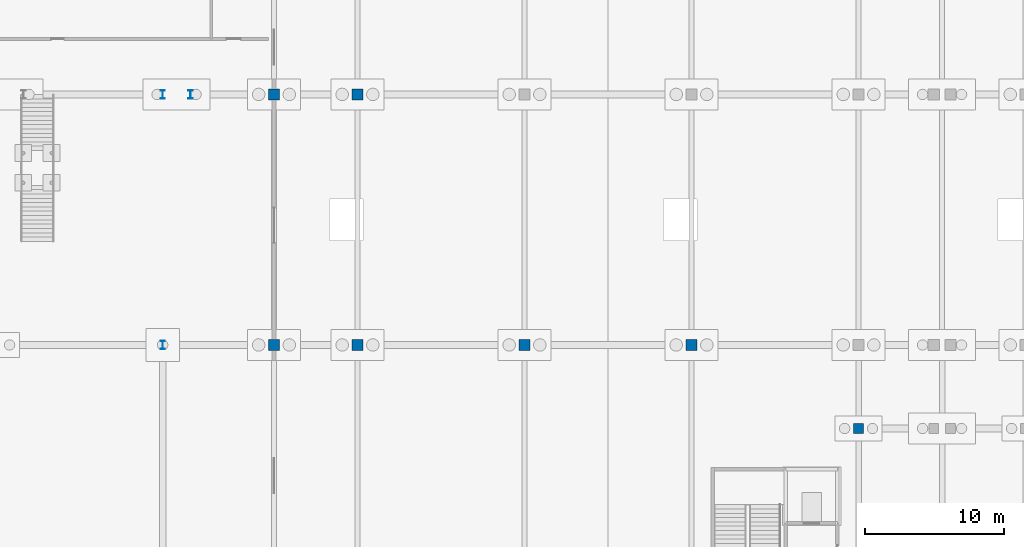
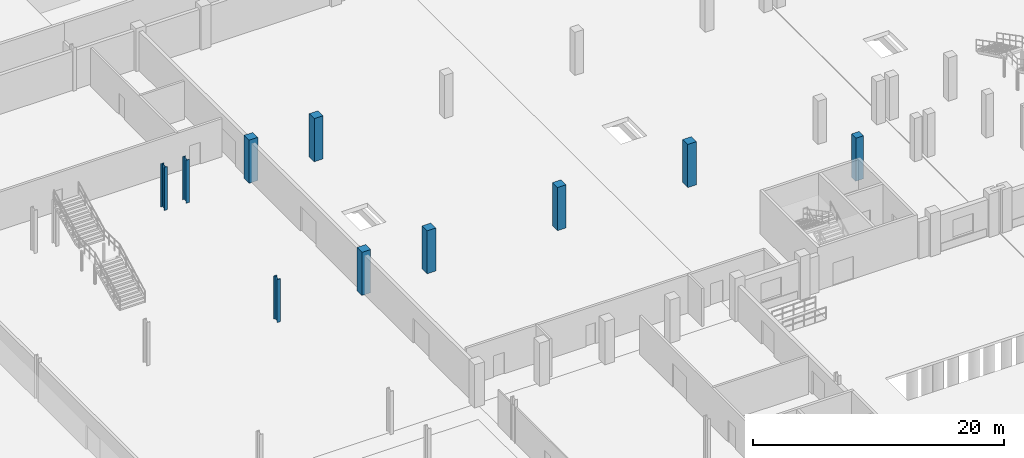
# One storey, part 24 of 77: 10 columns.
"""IFC4 building model written with IfcOpenShell, lengths in metres."""

from ifc_helpers import new_model, si_unit, direction, frame, origin, origin_2d, place, context, subcontext, project, spatial, rectangle, i_section, extrude, material, material_profile, profile_set, type_object, element, save


model = new_model("IFC4")

# Units and contexts
model_context = context("Model", 3, precision=1e-05, world=origin(), true_north=direction((0.0, 1.0)))
body_context = subcontext(model_context, "Body", "Model", "MODEL_VIEW")
ifc_project = project(units=[si_unit("LENGTHUNIT", "METRE"), si_unit("AREAUNIT", "SQUARE_METRE"), si_unit("VOLUMEUNIT", "CUBIC_METRE"), si_unit("PLANEANGLEUNIT", "RADIAN"), si_unit("MASSUNIT", "GRAM", prefix="KILO")], contexts=[model_context])

# Site, building, storey
site_placement = place(None, origin())
site = spatial("IfcSite", under=ifc_project, at=site_placement, CompositionType="ELEMENT")
building_placement = place(site_placement, origin())
building = spatial("IfcBuilding", under=site, at=building_placement, Name="Zilviju Railside Exhibition Hall", CompositionType="ELEMENT")
storey_placement = place(building_placement, origin())
storey = spatial("IfcBuildingStorey", under=building, at=storey_placement, Name="L01", CompositionType="ELEMENT", Elevation=0.0)

# Columns
ifc_material_1 = material(Name="Concrete C35/45", Category="concrete")
ifc_material_profile_1 = material_profile(ifc_material_1, rectangle(XDim=0.699951171875, YDim=0.699951171875, at=origin_2d()), Name="RC COL 700x700")
ifc_profile_set_1 = profile_set([ifc_material_profile_1], Name="Concrete C35/45")
column_type_1 = type_object("IfcColumnType", Name="COL-RC-700", PredefinedType="COLUMN", material=ifc_profile_set_1)
column_placement = place(storey_placement, frame((120.0, 96.0, 0.0), z_axis=(0.0, 0.0, 1.0), x_axis=(1.0, 0.0, 0.0)))
element("IfcColumn", 1, at=column_placement, inside=storey, type_object=column_type_1, Name="Structural Column L01 (120.0, 96.0)", PredefinedType="COLUMN", context=body_context, shape_type="SweptSolid", body=[
    extrude(rectangle(XDim=0.699951171875, YDim=0.699951171875, at=origin_2d()), origin(), (0.0, 0.0, 1.0), 4.199951171875),
])
ifc_material_2 = material(Name="Concrete C40/50", Category="concrete")
ifc_material_profile_2 = material_profile(ifc_material_2, rectangle(XDim=0.800048828125, YDim=0.800048828125, at=origin_2d()), Name="RC COL 800x800")
ifc_profile_set_2 = profile_set([ifc_material_profile_2], Name="Concrete C40/50")
column_type_2 = type_object("IfcColumnType", Name="COL-RC-800", PredefinedType="COLUMN", material=ifc_profile_set_2)
for number, where, z_axis, x_axis, name in (
    (2, (78.0, 102.0, 0.0), (0.0, 0.0, 1.0), (1.0, 0.0, 0.0), "Structural Column L01 (78.0, 102.0)"),
    (3, (84.0, 102.0, 0.0), (0.0, 0.0, 1.0), (1.0, 0.0, 0.0), "Structural Column L01 (84.0, 102.0)"),
    (4, (96.0, 102.0, 0.0), (0.0, 0.0, 1.0), (1.0, 0.0, 0.0), "Structural Column L01 (96.0, 102.0)"),
    (5, (108.0, 102.0, 0.0), (0.0, 0.0, 1.0), (1.0, 0.0, 0.0), "Structural Column L01 (108.0, 102.0)"),
    (6, (78.0, 120.0, 0.0), (0.0, 0.0, 1.0), (1.0, 0.0, 0.0), "Structural Column L01 (78.0, 120.0)"),
    (7, (84.0, 120.0, 0.0), (0.0, 0.0, 1.0), (1.0, 0.0, 0.0), "Structural Column L01 (84.0, 120.0)"),
):
    element("IfcColumn", number, at=place(storey_placement, frame(where, z_axis=z_axis, x_axis=x_axis)), inside=storey, type_object=column_type_2, Name=name, PredefinedType="COLUMN", context=body_context, shape_type="SweptSolid", body=[
        extrude(rectangle(XDim=0.800048828125, YDim=0.800048828125, at=origin_2d()), origin(), (0.0, 0.0, 1.0), 4.199951171875),
    ])
ifc_material_3 = material(Name="Steel S355J2", Category="steel")
ifc_material_profile_3 = material_profile(ifc_material_3, i_section(OverallWidth=0.300048828125, OverallDepth=0.60009765625, WebThickness=0.015380859375, FlangeThickness=0.030029296875, at=origin_2d()), Name="HEB 600")
ifc_profile_set_3 = profile_set([ifc_material_profile_3], Name="Steel S355J2")
column_type_3 = type_object("IfcColumnType", Name="COL-ST-HEB600", PredefinedType="COLUMN", material=ifc_profile_set_3)
for number, where, z_axis, x_axis, name in (
    (8, (70.0, 102.0, 0.0), (0.0, 0.0, 1.0), (1.0, 0.0, 0.0), "Structural Column L01 (70.0, 102.0)"),
    (9, (70.0, 120.0, 0.0), (0.0, 0.0, 1.0), (1.0, 0.0, 0.0), "Structural Column L01 (70.0, 120.0)"),
    (10, (72.0, 120.0, 0.0), (0.0, 0.0, 1.0), (1.0, 0.0, 0.0), "Structural Column L01 (72.0, 120.0)"),
):
    element("IfcColumn", number, at=place(storey_placement, frame(where, z_axis=z_axis, x_axis=x_axis)), inside=storey, type_object=column_type_3, Name=name, PredefinedType="COLUMN", context=body_context, shape_type="SweptSolid", body=[
        extrude(i_section(OverallWidth=0.300048828125, OverallDepth=0.60009765625, WebThickness=0.015380859375, FlangeThickness=0.030029296875, at=origin_2d()), origin(), (0.0, 0.0, 1.0), 4.199951171875),
    ])

save(model, "model.ifc")
